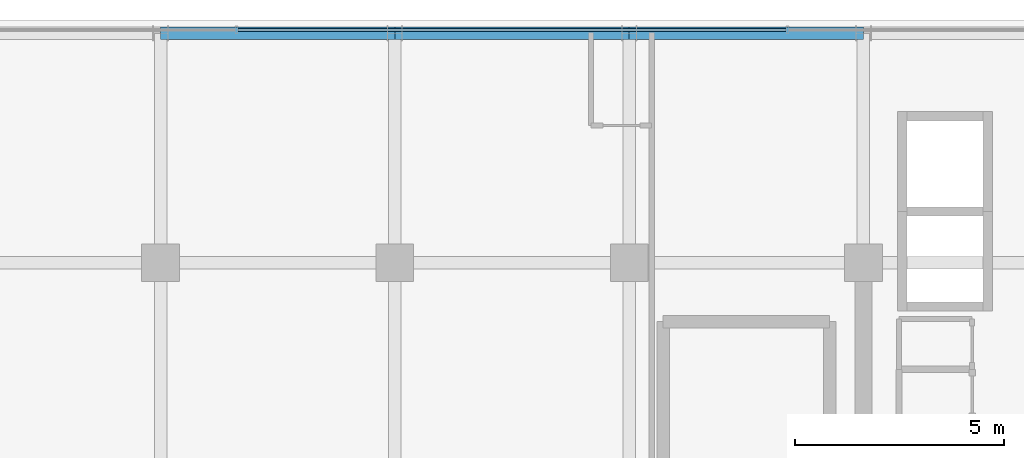
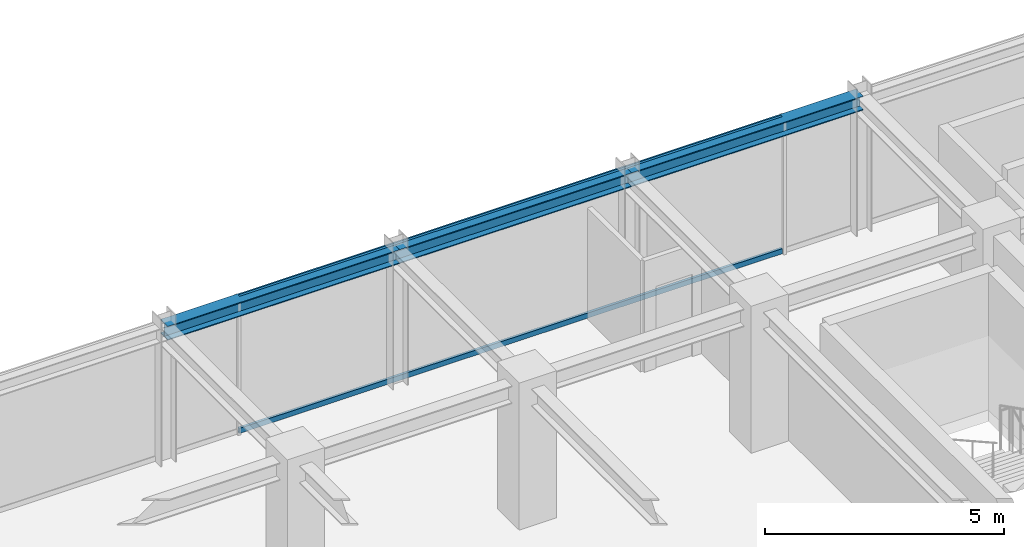
# One storey, part 20 of 33: 3 beams, 2 members, 1 element without a shape of its own.
"""IFC4 building model written with IfcOpenShell, lengths in metres."""

import ifcopenshell
import ifcopenshell.guid

model = None  # the IFC model being written
_history = None  # IfcOwnerHistory: only IFC2X3 demands one
_inside = {}  # id of a spatial element -> (the spatial element, [elements in it])
_under = {}  # id of a project, library or spatial element -> (it, [spatial elements below it])
_declared = {}  # id of a project -> (the project, [libraries it declares])
_typed = {}  # id of a type object -> (the type object, [elements of that type])
_made_of = {}  # id of a material, layer set ... -> (it, [elements and type objects made of it])


def new_model(schema):
    """Start an empty IFC model of exactly this schema.

    Asked for "IFC4X3", IfcOpenShell would pick the latest addendum, in which some entities
    have other attributes; the version numbers below select the first issue.
    IFC2X3 requires an IfcOwnerHistory on every rooted entity: one is made here for all.
    """
    global model, _history
    if schema == "IFC4X3":
        model = ifcopenshell.file(schema_version=(4, 3, 0, 0))
    else:
        model = ifcopenshell.file(schema=schema)
    _inside.clear()
    _under.clear()
    _declared.clear()
    _typed.clear()
    _made_of.clear()
    _history = None
    if model.schema == "IFC2X3":
        org = make("IfcOrganization", Name="unknown")
        user = make(
            "IfcPersonAndOrganization",
            ThePerson=make("IfcPerson", FamilyName="unknown"),
            TheOrganization=org,
        )
        app = make(
            "IfcApplication",
            ApplicationDeveloper=org,
            Version="unknown",
            ApplicationFullName="unknown",
            ApplicationIdentifier="unknown",
        )
        _history = make(
            "IfcOwnerHistory",
            OwningUser=user,
            OwningApplication=app,
            ChangeAction="ADDED",
            CreationDate=0,
        )
    return model


def make(cls, **values):
    """One entity of the class cls with the attributes given. An attribute that is None is left unset."""
    return model.create_entity(
        cls, **{name: value for name, value in values.items() if value is not None}
    )


def rooted(cls, **values):
    """An entity with a GlobalId (a new one), such as an element, a storey or a relation."""
    return make(cls, GlobalId=ifcopenshell.guid.new(), OwnerHistory=_history, **values)


def si_unit(unit_type, name, prefix=None):
    """IfcSIUnit, for example si_unit("LENGTHUNIT", "METRE", prefix="MILLI")."""
    return make("IfcSIUnit", UnitType=unit_type, Prefix=prefix, Name=name)


def assignment(units):
    """IfcUnitAssignment: the units of a project."""
    return None if units is None else make("IfcUnitAssignment", Units=units)


def point(xyz):
    """IfcCartesianPoint."""
    return None if xyz is None else make("IfcCartesianPoint", Coordinates=xyz)


def direction(xyz):
    """IfcDirection."""
    return None if xyz is None else make("IfcDirection", DirectionRatios=xyz)


def frame(location, z_axis=None, x_axis=None):
    """IfcAxis2Placement3D, a coordinate frame: its origin and axes. An axis left out is left unset."""
    return make(
        "IfcAxis2Placement3D",
        Location=point(location),
        Axis=direction(z_axis),
        RefDirection=direction(x_axis),
    )


def frame_2d(location, x_axis=None):
    """IfcAxis2Placement2D, a coordinate frame in the plane: its origin and x axis."""
    return make(
        "IfcAxis2Placement2D", Location=point(location), RefDirection=direction(x_axis)
    )


def origin():
    """The frame at (0, 0, 0) with its axes left unset."""
    return frame((0.0, 0.0, 0.0))


def origin_2d():
    """The frame at (0, 0) in the plane with its x axis left unset."""
    return frame_2d((0.0, 0.0))


def place(relative_to, where):
    """IfcLocalPlacement: puts the frame where relative to a parent placement (None: the world)."""
    return make(
        "IfcLocalPlacement", PlacementRelTo=relative_to, RelativePlacement=where
    )


def context(
    kind, dimensions, precision=None, world=None, true_north=None, identifier=None
):
    """IfcGeometricRepresentationContext, for example the 3D "Model" context."""
    return make(
        "IfcGeometricRepresentationContext",
        ContextIdentifier=identifier,
        ContextType=kind,
        CoordinateSpaceDimension=dimensions,
        Precision=precision,
        WorldCoordinateSystem=world,
        TrueNorth=true_north,
    )


def subcontext(parent, identifier, kind, view, scale=None):
    """IfcGeometricRepresentationSubContext, for example "Body" below "Model"."""
    return make(
        "IfcGeometricRepresentationSubContext",
        ContextIdentifier=identifier,
        ContextType=kind,
        ParentContext=parent,
        TargetScale=scale,
        TargetView=view,
    )


def project(units=None, contexts=None):
    """IfcProject with its units and contexts."""
    return rooted(
        "IfcProject",
        Name="project",
        RepresentationContexts=contexts,
        UnitsInContext=assignment(units),
    )


def spatial(cls, under=None, at=None, **own):
    """A site, building, storey or space (cls), placed at a placement, below another one or the project."""
    s = rooted(cls, ObjectPlacement=at, **own)
    if under is not None:
        _under.setdefault(under.id(), (under, []))[1].append(s)
    return s


def profile(cls, at=None, kind="AREA", **sizes):
    """A parametric profile (cls). Its sizes go by their IFC names, for example OverallWidth=200.0."""
    return make(cls, ProfileType=kind, Position=at, **sizes)


def hollow_rectangle(**sizes):
    """IfcRectangleHollowProfileDef."""
    return profile("IfcRectangleHollowProfileDef", **sizes)


def i_section(**sizes):
    """IfcIShapeProfileDef."""
    return profile("IfcIShapeProfileDef", **sizes)


def extrude(swept, where, along, depth):
    """IfcExtrudedAreaSolid: the profile swept, set in the frame where, extruded along a direction by depth."""
    return make(
        "IfcExtrudedAreaSolid",
        SweptArea=swept,
        Position=where,
        ExtrudedDirection=direction(along),
        Depth=depth,
    )


def shape(context_of_items, identifier, shape_type, items):
    """IfcShapeRepresentation: the items that make up one representation, for example the "Body"."""
    return make(
        "IfcShapeRepresentation",
        ContextOfItems=context_of_items,
        RepresentationIdentifier=identifier,
        RepresentationType=shape_type,
        Items=items,
    )


def source(mapping_origin, context_of_items, identifier, shape_type, items):
    """IfcRepresentationMap: a shape defined once, which mapped items show again and again."""
    return make(
        "IfcRepresentationMap",
        MappingOrigin=mapping_origin,
        MappedRepresentation=shape(context_of_items, identifier, shape_type, items),
    )


def transform(
    local_origin,
    x_axis=None,
    y_axis=None,
    z_axis=None,
    scale=None,
    scale2=None,
    scale3=None,
    uniform=True,
):
    """IfcCartesianTransformationOperator3D, or its non-uniform kind. x_axis, y_axis, z_axis: its Axis1, 2, 3."""
    if uniform:
        return make(
            "IfcCartesianTransformationOperator3D",
            Axis1=direction(x_axis),
            Axis2=direction(y_axis),
            LocalOrigin=point(local_origin),
            Scale=scale,
            Axis3=direction(z_axis),
        )
    return make(
        "IfcCartesianTransformationOperator3DnonUniform",
        Axis1=direction(x_axis),
        Axis2=direction(y_axis),
        LocalOrigin=point(local_origin),
        Scale=scale,
        Axis3=direction(z_axis),
        Scale2=scale2,
        Scale3=scale3,
    )


def mapped(mapping_source, mapping_target):
    """IfcMappedItem: shows the shape of a source again, moved by a transform."""
    return make(
        "IfcMappedItem", MappingSource=mapping_source, MappingTarget=mapping_target
    )


def material(Name=None, Category=None):
    """IfcMaterial."""
    return make("IfcMaterial", Name=Name, Category=Category)


def material_profile(
    of_material, cross_section, Name=None, Category=None, Priority=None
):
    """IfcMaterialProfile: a cross section and its material."""
    return make(
        "IfcMaterialProfile",
        Name=Name,
        Material=of_material,
        Profile=cross_section,
        Priority=Priority,
        Category=Category,
    )


def profile_set(profiles, Name=None, composite=None):
    """IfcMaterialProfileSet."""
    return make(
        "IfcMaterialProfileSet",
        Name=Name,
        MaterialProfiles=profiles,
        CompositeProfile=composite,
    )


def made_of(thing, what):
    """Note that an element or type object is made of a material, layer set ...; save() writes the relation."""
    if what is not None:
        _made_of.setdefault(what.id(), (what, []))[1].append(thing)
    return thing


def type_object(cls, material=None, **own):
    """A type object (cls), such as IfcWallType, which elements share."""
    return made_of(rooted(cls, **own), material)


def element(
    cls,
    number,
    at=None,
    inside=None,
    cuts=None,
    type_object=None,
    material=None,
    context=None,
    identifier="Body",
    shape_type=None,
    held_by="IfcProductDefinitionShape",
    body=None,
    shapes=None,
    **own,
):
    """One element of the class cls, such as IfcWall. Its Tag is "e" and its number.

    at: its placement. inside: the storey or other place that contains it. cuts: it is an
    opening in that element (IfcRelVoidsElement). A single representation is given by context,
    identifier, shape_type and body (its items); several are given by shapes. held_by: the class
    of the entity that holds the representations. save() writes the other relations.
    """
    e = rooted(cls, Tag="e%d" % number, ObjectPlacement=at, **own)
    if body is not None:
        shapes = [shape(context, identifier, shape_type, body)]
    if shapes is not None:
        e.Representation = make(held_by, Representations=shapes)
    if inside is not None:
        _inside.setdefault(inside.id(), (inside, []))[1].append(e)
    if cuts is not None:
        rooted(
            "IfcRelVoidsElement", RelatingBuildingElement=cuts, RelatedOpeningElement=e
        )
    if type_object is not None:
        _typed.setdefault(type_object.id(), (type_object, []))[1].append(e)
    return made_of(e, material)


def aggregate(whole, parts):
    """IfcRelAggregates: a whole, such as a stair, and the parts it consists of."""
    return rooted("IfcRelAggregates", RelatingObject=whole, RelatedObjects=parts)


def save(model, path):
    """Write the relations noted so far, then the file.

    IfcRelAggregates (storeys below a building ...), IfcRelContainedInSpatialStructure (elements
    in a storey), IfcRelDefinesByType, IfcRelAssociatesMaterial and IfcRelDeclares: one each for
    every whole, place, type object, material and project.
    """
    for whole, parts in _under.values():
        aggregate(whole, parts)
    for where, things in _inside.values():
        rooted(
            "IfcRelContainedInSpatialStructure",
            RelatedElements=things,
            RelatingStructure=where,
        )
    for kind, things in _typed.values():
        rooted("IfcRelDefinesByType", RelatedObjects=things, RelatingType=kind)
    for what, things in _made_of.values():
        rooted("IfcRelAssociatesMaterial", RelatedObjects=things, RelatingMaterial=what)
    for by, libraries in _declared.values():
        rooted("IfcRelDeclares", RelatingContext=by, RelatedDefinitions=libraries)
    model.write(path)


model = new_model("IFC4")

# Units and contexts
model_context = context("Model", 3, precision=1e-05, world=origin(), true_north=direction((0.0, 1.0)))
body_context = subcontext(model_context, "Body", "Model", "MODEL_VIEW")
ifc_project = project(units=[si_unit("LENGTHUNIT", "METRE"), si_unit("AREAUNIT", "SQUARE_METRE"), si_unit("VOLUMEUNIT", "CUBIC_METRE"), si_unit("PLANEANGLEUNIT", "RADIAN"), si_unit("MASSUNIT", "GRAM", prefix="KILO")], contexts=[model_context])

# Site, building, storey
site_placement = place(None, origin())
site = spatial("IfcSite", under=ifc_project, at=site_placement, CompositionType="ELEMENT")
building_placement = place(site_placement, origin())
building = spatial("IfcBuilding", under=site, at=building_placement, Name="Nahalor Promenade Grand Hotel", CompositionType="ELEMENT")
storey_placement = place(building_placement, frame((0.0, 0.0, 315.75)))
storey = spatial("IfcBuildingStorey", under=building, at=storey_placement, Name="L81", CompositionType="ELEMENT", Elevation=315.75)

# Beams
ifc_material_1 = material(Name="Steel S355JR", Category="steel")
ifc_material_profile_1 = material_profile(ifc_material_1, i_section(OverallWidth=0.3, OverallDepth=0.36, WebThickness=0.0125, FlangeThickness=0.0225, at=origin_2d()), Name="HEB 360")
ifc_profile_set_1 = profile_set([ifc_material_profile_1], Name="Steel S355JR")
beam_type = type_object("IfcBeamType", Name="Beam-Spandrel-HEB360", PredefinedType="SPANDREL", material=ifc_profile_set_1)
shared_shape_1 = source(origin(), body_context, "Body", "SweptSolid", [
    extrude(i_section(OverallWidth=0.3, OverallDepth=0.36, WebThickness=0.0125, FlangeThickness=0.0225, at=origin_2d()), origin(), (0.0, 0.0, 1.0), 5.599853515625),
])
for number, where, z_axis, x_axis, name in (
    (1, (-8.39990234375, 22.47998046875, 3.320068359375), (1.0, 0.0, 0.0), (0.0, 1.0, 0.0), "BM-L81-SP-N-1"),
    (2, (2.800048828125, 22.47998046875, 3.320068359375), (1.0, 0.0, 0.0), (0.0, 1.0, 0.0), "BM-L81-SP-N-3"),
):
    element("IfcBeam", number, at=place(storey_placement, frame(where, z_axis=z_axis, x_axis=x_axis)), inside=storey, type_object=beam_type, Name=name, PredefinedType="SPANDREL", context=body_context, shape_type="MappedRepresentation", body=[
        mapped(shared_shape_1, transform((0.0, 0.0, 0.0), scale=1.0)),
    ])
shared_shape_2 = source(origin(), body_context, "Body", "SweptSolid", [
    extrude(i_section(OverallWidth=0.3, OverallDepth=0.36, WebThickness=0.0125, FlangeThickness=0.0225, at=origin_2d()), origin(), (0.0, 0.0, 1.0), 5.60009765625),
])
beam_placement = place(storey_placement, frame((-2.800048828125, 22.47998046875, 3.320068359375), z_axis=(1.0, 0.0, 0.0), x_axis=(0.0, 1.0, 0.0)))
element("IfcBeam", 3, at=beam_placement, inside=storey, type_object=beam_type, Name="BM-L81-SP-N-2", PredefinedType="SPANDREL", context=body_context, shape_type="MappedRepresentation", body=[
    mapped(shared_shape_2, transform((0.0, 0.0, 0.0), scale=1.0)),
])

# Curtain wall, members
ifc_material_2 = material(Name="Anodised Bronze Aluminium EN AW-6063 T6", Category="aluminium")
curtain_wall_type = type_object("IfcCurtainWallType", Name="CW2 Typical Hotel Flush Bronze Unitised Curtain Wall", PredefinedType="USERDEFINED", material=ifc_material_2)
curtain_wall_placement = place(storey_placement, origin())
curtain_wall = element("IfcCurtainWall", 4, at=curtain_wall_placement, inside=storey, type_object=curtain_wall_type, Name="L81 Curtain Wall CW-L81-N-1", ObjectType="UNITISED_CURTAIN_WALL", PredefinedType="USERDEFINED")
ifc_material_profile_2 = material_profile(ifc_material_2, hollow_rectangle(XDim=0.065, YDim=0.13, WallThickness=0.004, at=origin_2d()), Name="CWT 65x130x4")
ifc_profile_set_2 = profile_set([ifc_material_profile_2], Name="Anodised Bronze Aluminium EN AW-6063 T6")
member_type = type_object("IfcMemberType", Name="CWT2 Typical Bronze Transom 65x130", PredefinedType="USERDEFINED", material=ifc_profile_set_2)
shared_shape_3 = source(origin(), body_context, "Body", "SweptSolid", [
    extrude(hollow_rectangle(XDim=0.065, YDim=0.13, WallThickness=0.004, at=origin_2d()), origin(), (0.0, 0.0, 1.0), 13.1083984375),
])
member_1_placement = place(storey_placement, frame((-6.55419921875, 22.56005859375, 0.06494140625), z_axis=(1.0, 0.0, 0.0), x_axis=(0.0, 1.0, 0.0)))
member_1 = element("IfcMember", 5, at=member_1_placement, type_object=member_type, Name="CW-L81-N-1 Transom 1-0", ObjectType="TRANSOM", PredefinedType="USERDEFINED", context=body_context, shape_type="MappedRepresentation", body=[
    mapped(shared_shape_3, transform((0.0, 0.0, 0.0), scale=1.0)),
])
member_2_placement = place(storey_placement, frame((-6.55419921875, 22.56005859375, 3.43505859375), z_axis=(1.0, 0.0, 0.0), x_axis=(0.0, 1.0, 0.0)))
member_2 = element("IfcMember", 6, at=member_2_placement, type_object=member_type, Name="CW-L81-N-1 Transom 1-1", ObjectType="TRANSOM", PredefinedType="USERDEFINED", context=body_context, shape_type="MappedRepresentation", body=[
    mapped(shared_shape_3, transform((0.0, 0.0, 0.0), scale=1.0)),
])
aggregate(curtain_wall, [member_1, member_2])

save(model, "model.ifc")
